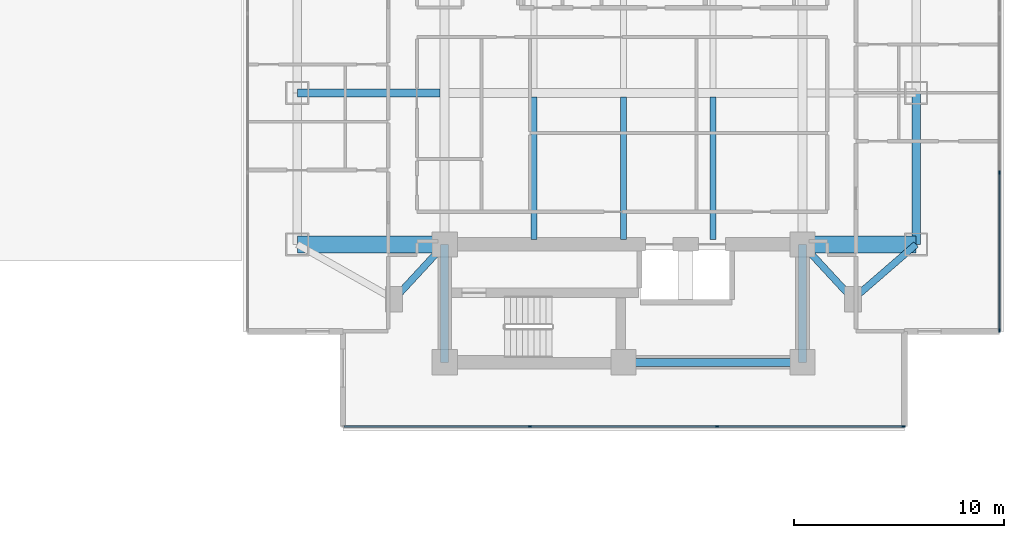
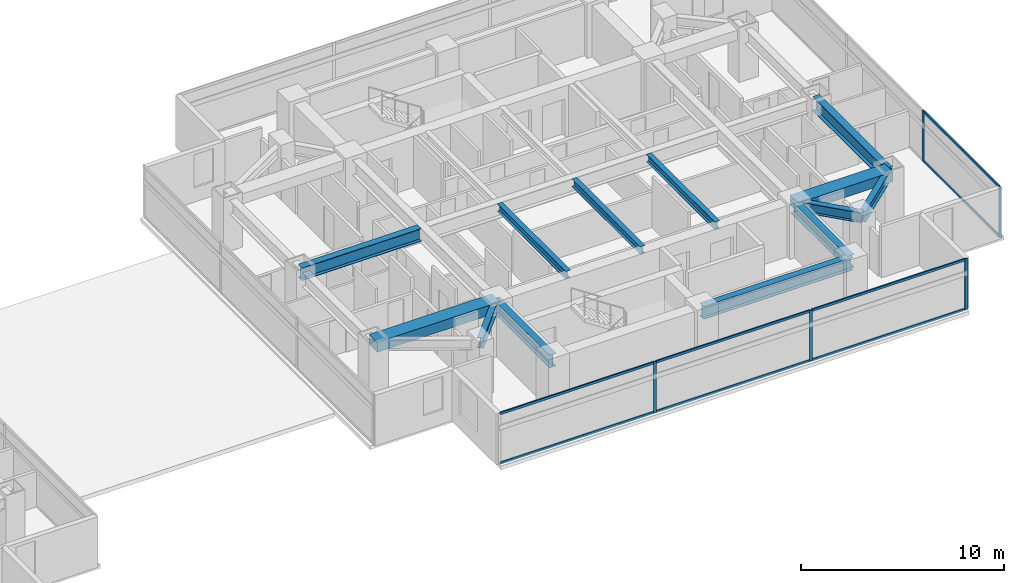
# One storey, part 9 of 26: 13 beams, 13 members, 2 elements without a shape of their own.
"""IFC4 building model written with IfcOpenShell, lengths in metres."""

from ifc_helpers import new_model, si_unit, direction, frame, origin, origin_2d, place, context, subcontext, project, spatial, rectangle, i_section, extrude, material, material_profile, profile_set, type_object, element, aggregate, save


model = new_model("IFC4")

# Units and contexts
model_context = context("Model", 3, precision=1e-05, world=origin(), true_north=direction((0.0, 1.0)))
body_context = subcontext(model_context, "Body", "Model", "MODEL_VIEW")
ifc_project = project(units=[si_unit("LENGTHUNIT", "METRE"), si_unit("AREAUNIT", "SQUARE_METRE"), si_unit("VOLUMEUNIT", "CUBIC_METRE"), si_unit("PLANEANGLEUNIT", "RADIAN"), si_unit("MASSUNIT", "GRAM", prefix="KILO")], contexts=[model_context])

# Site, building, storey
site_placement = place(None, origin())
site = spatial("IfcSite", under=ifc_project, at=site_placement, CompositionType="ELEMENT")
building_placement = place(site_placement, origin())
building = spatial("IfcBuilding", under=site, at=building_placement, Name="Mirazonda Arch Towers", CompositionType="ELEMENT")
storey_placement = place(building_placement, frame((0.0, 0.0, 98.300048828125)))
storey = spatial("IfcBuildingStorey", under=building, at=storey_placement, Name="L27", CompositionType="ELEMENT", Elevation=98.300048828125)

# Beams
ifc_material_1 = material(Name="Steel ASTM A992 Grade 50", Category="steel")
ifc_material_profile_1 = material_profile(ifc_material_1, i_section(OverallWidth=0.39990234375, OverallDepth=0.85595703125, WebThickness=0.018310546875, FlangeThickness=0.029296875, at=origin_2d()), Name="W33X201")
ifc_profile_set_1 = profile_set([ifc_material_profile_1], Name="Steel ASTM A992 Grade 50")
beam_type_1 = type_object("IfcBeamType", Name="BM-EXT-W33X201", PredefinedType="USERDEFINED", material=ifc_profile_set_1)
beam_1_placement = place(storey_placement, frame((90.39990234375, 20.800048828125, 2.65185546875), z_axis=(0.0, 1.0, 0.0), x_axis=(-1.0, 0.0, 0.0)))
element("IfcBeam", 1, at=beam_1_placement, inside=storey, type_object=beam_type_1, Name="L27 Floor Beam BM-T2-L27-NS-E-20", ObjectType="GIRDER", PredefinedType="USERDEFINED", context=body_context, shape_type="SweptSolid", body=[
    extrude(i_section(OverallWidth=0.39990234375, OverallDepth=0.85595703125, WebThickness=0.018310546875, FlangeThickness=0.029296875, at=origin_2d()), origin(), (0.0, 0.0, 1.0), 7.199951171875),
])
ifc_material_profile_2 = material_profile(ifc_material_1, i_section(OverallWidth=0.280029296875, OverallDepth=0.462890625, WebThickness=0.0107421875, FlangeThickness=0.017333984375, at=origin_2d()), Name="W18X76")
ifc_profile_set_2 = profile_set([ifc_material_profile_2], Name="Steel ASTM A992 Grade 50")
beam_type_2 = type_object("IfcBeamType", Name="BM-INT-W18X76", PredefinedType="JOIST", material=ifc_profile_set_2)
for number, where, z_axis, x_axis, name in (
    (2, (72.25, 21.0400390625, 2.848388671875), (0.0, 1.0, 0.0), (-1.0, 0.0, 0.0), "L27 Floor Beam BM-T2-L27-J-722-20"),
    (3, (76.5, 21.0400390625, 2.848388671875), (0.0, 1.0, 0.0), (-1.0, 0.0, 0.0), "L27 Floor Beam BM-T2-L27-J-765-20"),
    (4, (80.75, 21.0400390625, 2.848388671875), (0.0, 1.0, 0.0), (-1.0, 0.0, 0.0), "L27 Floor Beam BM-T2-L27-J-807-20"),
):
    element("IfcBeam", number, at=place(storey_placement, frame(where, z_axis=z_axis, x_axis=x_axis)), inside=storey, type_object=beam_type_2, Name=name, PredefinedType="JOIST", context=body_context, shape_type="SweptSolid", body=[
        extrude(i_section(OverallWidth=0.280029296875, OverallDepth=0.462890625, WebThickness=0.0107421875, FlangeThickness=0.017333984375, at=origin_2d()), origin(), (0.0, 0.0, 1.0), 6.7548828125),
    ])
ifc_material_profile_3 = material_profile(ifc_material_1, i_section(OverallWidth=0.324951171875, OverallDepth=0.615966796875, WebThickness=0.013916015625, FlangeThickness=0.021484375, at=origin_2d()), Name="W24X117")
ifc_profile_set_3 = profile_set([ifc_material_profile_3], Name="Steel ASTM A992 Grade 50")
beam_type_3 = type_object("IfcBeamType", Name="BM-INT-W24X117", PredefinedType="BEAM", material=ifc_profile_set_3)
for number, where, z_axis, x_axis, name in (
    (5, (65.60009765625, 18.199951171875, 2.77197265625), (0.678251444854, 0.734829897019, 0.0), (-0.734829897019, 0.678251444854, 0.0), "L27 Floor Beam BM-T2-L27-PL-SW1"),
    (6, (87.39990234375, 18.199951171875, 2.77197265625), (-0.678251444854, 0.734829897019, 0.0), (-0.734829897019, -0.678251444854, 0.0), "L27 Floor Beam BM-T2-L27-PL-SE1"),
):
    element("IfcBeam", number, at=place(storey_placement, frame(where, z_axis=z_axis, x_axis=x_axis)), inside=storey, type_object=beam_type_3, Name=name, PredefinedType="BEAM", context=body_context, shape_type="SweptSolid", body=[
        extrude(i_section(OverallWidth=0.324951171875, OverallDepth=0.615966796875, WebThickness=0.013916015625, FlangeThickness=0.021484375, at=origin_2d()), origin(), (0.0, 0.0, 1.0), 3.538330078125),
    ])
beam_2_placement = place(storey_placement, frame((87.39990234375, 18.199951171875, 2.77197265625), z_axis=(0.755676908098, 0.654944585876, 0.0), x_axis=(-0.654944585876, 0.755676908098, 0.0)))
element("IfcBeam", 7, at=beam_2_placement, inside=storey, type_object=beam_type_3, Name="L27 Floor Beam BM-T2-L27-PL-SE2", PredefinedType="BEAM", context=body_context, shape_type="SweptSolid", body=[
    extrude(i_section(OverallWidth=0.324951171875, OverallDepth=0.615966796875, WebThickness=0.013916015625, FlangeThickness=0.021484375, at=origin_2d()), origin(), (0.0, 0.0, 1.0), 3.969970703125),
])
ifc_material_profile_4 = material_profile(ifc_material_1, i_section(OverallWidth=0.381103515625, OverallDepth=0.77294921875, WebThickness=0.0166015625, FlangeThickness=0.027099609375, at=origin_2d()), Name="W30X173")
ifc_profile_set_4 = profile_set([ifc_material_profile_4], Name="Steel ASTM A992 Grade 50")
beam_type_4 = type_object("IfcBeamType", Name="BM-INT-W30X173", PredefinedType="USERDEFINED", material=ifc_profile_set_4)
beam_3_placement = place(storey_placement, frame((76.5, 15.199951171875, 2.693359375), z_axis=(1.0, 0.0, 0.0), x_axis=(0.0, 1.0, 0.0)))
element("IfcBeam", 8, at=beam_3_placement, inside=storey, type_object=beam_type_4, Name="L27 Floor Beam BM-T2-L27-CS2", ObjectType="GIRDER", PredefinedType="USERDEFINED", context=body_context, shape_type="SweptSolid", body=[
    extrude(i_section(OverallWidth=0.381103515625, OverallDepth=0.77294921875, WebThickness=0.0166015625, FlangeThickness=0.027099609375, at=origin_2d()), origin(), (0.0, 0.0, 1.0), 8.5),
])
for number, where, z_axis, x_axis, name in (
    (9, (68.0, 15.199951171875, 2.693359375), (0.0, 1.0, 0.0), (-1.0, 0.0, 0.0), "L27 Floor Beam BM-T2-L27-CSW"),
    (10, (85.0, 15.199951171875, 2.693359375), (0.0, 1.0, 0.0), (-1.0, 0.0, 0.0), "L27 Floor Beam BM-T2-L27-CSE"),
):
    element("IfcBeam", number, at=place(storey_placement, frame(where, z_axis=z_axis, x_axis=x_axis)), inside=storey, type_object=beam_type_4, Name=name, ObjectType="GIRDER", PredefinedType="USERDEFINED", context=body_context, shape_type="SweptSolid", body=[
        extrude(i_section(OverallWidth=0.381103515625, OverallDepth=0.77294921875, WebThickness=0.0166015625, FlangeThickness=0.027099609375, at=origin_2d()), origin(), (0.0, 0.0, 1.0), 5.60009765625),
    ])
beam_4_placement = place(storey_placement, frame((61.0, 28.0, 2.693359375), z_axis=(1.0, 0.0, 0.0), x_axis=(0.0, 1.0, 0.0)))
element("IfcBeam", 11, at=beam_4_placement, inside=storey, type_object=beam_type_4, Name="L27 Floor Beam BM-T2-L27-GW2", ObjectType="GIRDER", PredefinedType="USERDEFINED", context=body_context, shape_type="SweptSolid", body=[
    extrude(i_section(OverallWidth=0.381103515625, OverallDepth=0.77294921875, WebThickness=0.0166015625, FlangeThickness=0.027099609375, at=origin_2d()), origin(), (0.0, 0.0, 1.0), 6.791015625),
])
ifc_material_2 = material(Name="Concrete C60/75", Category="concrete")
ifc_material_profile_5 = material_profile(ifc_material_2, rectangle(XDim=0.800048828125, YDim=0.60009765625, at=origin_2d()), Name="RCCB800x600")
ifc_profile_set_5 = profile_set([ifc_material_profile_5], Name="Concrete C60/75")
beam_type_5 = type_object("IfcBeamType", Name="CB-INT-RCCB800x600", PredefinedType="SPANDREL", material=ifc_profile_set_5)
beam_5_placement = place(storey_placement, frame((61.0, 20.800048828125, 2.780029296875), z_axis=(1.0, 0.0, 0.0), x_axis=(0.0, 1.0, 0.0)))
element("IfcBeam", 12, at=beam_5_placement, inside=storey, type_object=beam_type_5, Name="L27 Floor Beam CBC-T2-L27-SW", PredefinedType="SPANDREL", context=body_context, shape_type="SweptSolid", body=[
    extrude(rectangle(XDim=0.800048828125, YDim=0.60009765625, at=origin_2d()), origin(), (0.0, 0.0, 1.0), 7.0),
])
beam_6_placement = place(storey_placement, frame((85.0, 20.800048828125, 2.780029296875), z_axis=(1.0, 0.0, 0.0), x_axis=(0.0, 1.0, 0.0)))
element("IfcBeam", 13, at=beam_6_placement, inside=storey, type_object=beam_type_5, Name="L27 Floor Beam CBC-T2-L27-SE", PredefinedType="SPANDREL", context=body_context, shape_type="SweptSolid", body=[
    extrude(rectangle(XDim=0.800048828125, YDim=0.60009765625, at=origin_2d()), origin(), (0.0, 0.0, 1.0), 5.39990234375),
])

# Curtain wall, members
ifc_material_3 = material(Name="Anodised Aluminium and Low-E Glass", Category="aluminium")
curtain_wall_type = type_object("IfcCurtainWallType", Name="CW-HTL-UNIT", PredefinedType="NOTDEFINED", material=ifc_material_3)
curtain_wall_1_placement = place(storey_placement, origin())
curtain_wall_1 = element("IfcCurtainWall", 14, at=curtain_wall_1_placement, inside=storey, type_object=curtain_wall_type, Name="L27 T2 S Facade CW-L27-T2-S", PredefinedType="NOTDEFINED")
ifc_material_4 = material(Name="Anodised Aluminium Alloy", Category="aluminium")
ifc_material_profile_6 = material_profile(ifc_material_4, rectangle(XDim=0.074951171875, YDim=0.1650390625, at=origin_2d()), Name="ALU-MULL-75x165")
ifc_profile_set_6 = profile_set([ifc_material_profile_6], Name="Anodised Aluminium Alloy")
member_type_1 = type_object("IfcMemberType", Name="MULL-CW-HTL-UNIT", PredefinedType="MULLION", material=ifc_profile_set_6)
member_1_placement = place(storey_placement, frame((89.802734375, 12.152587890625, 0.0), z_axis=(0.0, 0.0, 1.0), x_axis=(0.0, -1.0, 0.0)))
member_1 = element("IfcMember", 15, at=member_1_placement, type_object=member_type_1, Name="CW-112 mullion 1", PredefinedType="MULLION", context=body_context, shape_type="SweptSolid", body=[
    extrude(rectangle(XDim=0.074951171875, YDim=0.1650390625, at=origin_2d()), origin(), (0.0, 0.0, 1.0), 3.06005859375),
])
member_2_placement = place(storey_placement, frame((80.94677734375, 12.152587890625, 0.0), z_axis=(0.0, 0.0, 1.0), x_axis=(0.0, -1.0, 0.0)))
member_2 = element("IfcMember", 16, at=member_2_placement, type_object=member_type_1, Name="CW-112 mullion 2", PredefinedType="MULLION", context=body_context, shape_type="SweptSolid", body=[
    extrude(rectangle(XDim=0.074951171875, YDim=0.1650390625, at=origin_2d()), origin(), (0.0, 0.0, 1.0), 3.06005859375),
])
member_3_placement = place(storey_placement, frame((72.05322265625, 12.152587890625, 0.0), z_axis=(0.0, 0.0, 1.0), x_axis=(0.0, -1.0, 0.0)))
member_3 = element("IfcMember", 17, at=member_3_placement, type_object=member_type_1, Name="CW-112 mullion 3", PredefinedType="MULLION", context=body_context, shape_type="SweptSolid", body=[
    extrude(rectangle(XDim=0.074951171875, YDim=0.1650390625, at=origin_2d()), origin(), (0.0, 0.0, 1.0), 3.06005859375),
])

curtain_wall_2_placement = place(storey_placement, origin())
curtain_wall_2 = element("IfcCurtainWall", 18, at=curtain_wall_2_placement, inside=storey, type_object=curtain_wall_type, Name="L27 T2 E Facade CW-L27-T2-E", PredefinedType="NOTDEFINED")
member_4_placement = place(storey_placement, frame((94.3564453125, 16.706298828125, 0.0), z_axis=(0.0, 0.0, 1.0), x_axis=(-1.0, 0.0, 0.0)))
member_4 = element("IfcMember", 19, at=member_4_placement, type_object=member_type_1, Name="CW-112 mullion 1", PredefinedType="MULLION", context=body_context, shape_type="SweptSolid", body=[
    extrude(rectangle(XDim=0.074951171875, YDim=0.1650390625, at=origin_2d()), origin(), (0.0, 0.0, 1.0), 3.06005859375),
])
member_5_placement = place(storey_placement, frame((94.3564453125, 24.222900390625, 0.0), z_axis=(0.0, 0.0, 1.0), x_axis=(-1.0, 0.0, 0.0)))
member_5 = element("IfcMember", 20, at=member_5_placement, type_object=member_type_1, Name="CW-112 mullion 2", PredefinedType="MULLION", context=body_context, shape_type="SweptSolid", body=[
    extrude(rectangle(XDim=0.074951171875, YDim=0.1650390625, at=origin_2d()), origin(), (0.0, 0.0, 1.0), 3.06005859375),
])

# Member
ifc_material_profile_7 = material_profile(ifc_material_4, rectangle(XDim=0.074951171875, YDim=0.14501953125, at=origin_2d()), Name="ALU-TRAN-75x145")
ifc_profile_set_7 = profile_set([ifc_material_profile_7], Name="Anodised Aluminium Alloy")
member_type_2 = type_object("IfcMemberType", Name="TRAN-CW-HTL-UNIT", PredefinedType="USERDEFINED", material=ifc_profile_set_7)
member_6_placement = place(storey_placement, frame((89.76513671875, 12.152587890625, 0.037353515625), z_axis=(-1.0, 0.0, 0.0), x_axis=(0.0, -1.0, 0.0)))
member_6 = element("IfcMember", 21, at=member_6_placement, type_object=member_type_2, Name="CW-112 transom 1.1", ObjectType="TRANSOM", PredefinedType="USERDEFINED", context=body_context, shape_type="SweptSolid", body=[
    extrude(rectangle(XDim=0.074951171875, YDim=0.14501953125, at=origin_2d()), origin(), (0.0, 0.0, 1.0), 8.781005859375),
])

member_7_placement = place(storey_placement, frame((89.76513671875, 12.152587890625, 3.0224609375), z_axis=(-1.0, 0.0, 0.0), x_axis=(0.0, -1.0, 0.0)))
member_7 = element("IfcMember", 22, at=member_7_placement, type_object=member_type_2, Name="CW-112 transom 1.2", ObjectType="TRANSOM", PredefinedType="USERDEFINED", context=body_context, shape_type="SweptSolid", body=[
    extrude(rectangle(XDim=0.074951171875, YDim=0.14501953125, at=origin_2d()), origin(), (0.0, 0.0, 1.0), 8.781005859375),
])

member_8_placement = place(storey_placement, frame((80.9091796875, 12.152587890625, 0.037353515625), z_axis=(-1.0, 0.0, 0.0), x_axis=(0.0, -1.0, 0.0)))
member_8 = element("IfcMember", 23, at=member_8_placement, type_object=member_type_2, Name="CW-112 transom 2.1", ObjectType="TRANSOM", PredefinedType="USERDEFINED", context=body_context, shape_type="SweptSolid", body=[
    extrude(rectangle(XDim=0.074951171875, YDim=0.14501953125, at=origin_2d()), origin(), (0.0, 0.0, 1.0), 8.818359375),
])

member_9_placement = place(storey_placement, frame((80.9091796875, 12.152587890625, 3.0224609375), z_axis=(-1.0, 0.0, 0.0), x_axis=(0.0, -1.0, 0.0)))
member_9 = element("IfcMember", 24, at=member_9_placement, type_object=member_type_2, Name="CW-112 transom 2.2", ObjectType="TRANSOM", PredefinedType="USERDEFINED", context=body_context, shape_type="SweptSolid", body=[
    extrude(rectangle(XDim=0.074951171875, YDim=0.14501953125, at=origin_2d()), origin(), (0.0, 0.0, 1.0), 8.818359375),
])

member_10_placement = place(storey_placement, frame((72.015869140625, 12.152587890625, 0.037353515625), z_axis=(-1.0, 0.0, 0.0), x_axis=(0.0, -1.0, 0.0)))
member_10 = element("IfcMember", 25, at=member_10_placement, type_object=member_type_2, Name="CW-112 transom 3.1", ObjectType="TRANSOM", PredefinedType="USERDEFINED", context=body_context, shape_type="SweptSolid", body=[
    extrude(rectangle(XDim=0.074951171875, YDim=0.14501953125, at=origin_2d()), origin(), (0.0, 0.0, 1.0), 8.781005859375),
])

member_11_placement = place(storey_placement, frame((72.015869140625, 12.152587890625, 3.0224609375), z_axis=(-1.0, 0.0, 0.0), x_axis=(0.0, -1.0, 0.0)))
member_11 = element("IfcMember", 26, at=member_11_placement, type_object=member_type_2, Name="CW-112 transom 3.2", ObjectType="TRANSOM", PredefinedType="USERDEFINED", context=body_context, shape_type="SweptSolid", body=[
    extrude(rectangle(XDim=0.074951171875, YDim=0.14501953125, at=origin_2d()), origin(), (0.0, 0.0, 1.0), 8.781005859375),
])

aggregate(curtain_wall_1, [member_1, member_2, member_3, member_6, member_7, member_8, member_9, member_10, member_11])

member_12_placement = place(storey_placement, frame((94.3564453125, 16.743896484375, 0.037353515625), z_axis=(0.0, 1.0, 0.0), x_axis=(-1.0, 0.0, 0.0)))
member_12 = element("IfcMember", 27, at=member_12_placement, type_object=member_type_2, Name="CW-112 transom 1.1", ObjectType="TRANSOM", PredefinedType="USERDEFINED", context=body_context, shape_type="SweptSolid", body=[
    extrude(rectangle(XDim=0.074951171875, YDim=0.14501953125, at=origin_2d()), origin(), (0.0, 0.0, 1.0), 7.441650390625),
])

member_13_placement = place(storey_placement, frame((94.3564453125, 16.743896484375, 3.0224609375), z_axis=(0.0, 1.0, 0.0), x_axis=(-1.0, 0.0, 0.0)))
member_13 = element("IfcMember", 28, at=member_13_placement, type_object=member_type_2, Name="CW-112 transom 1.2", ObjectType="TRANSOM", PredefinedType="USERDEFINED", context=body_context, shape_type="SweptSolid", body=[
    extrude(rectangle(XDim=0.074951171875, YDim=0.14501953125, at=origin_2d()), origin(), (0.0, 0.0, 1.0), 7.441650390625),
])

aggregate(curtain_wall_2, [member_4, member_5, member_12, member_13])

save(model, "model.ifc")
